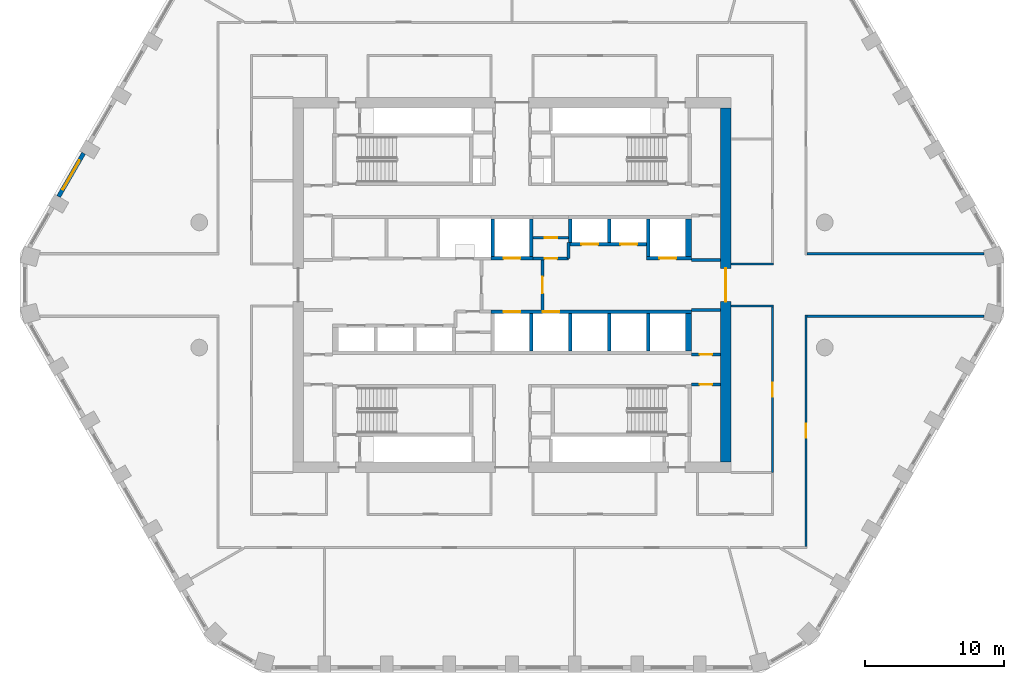
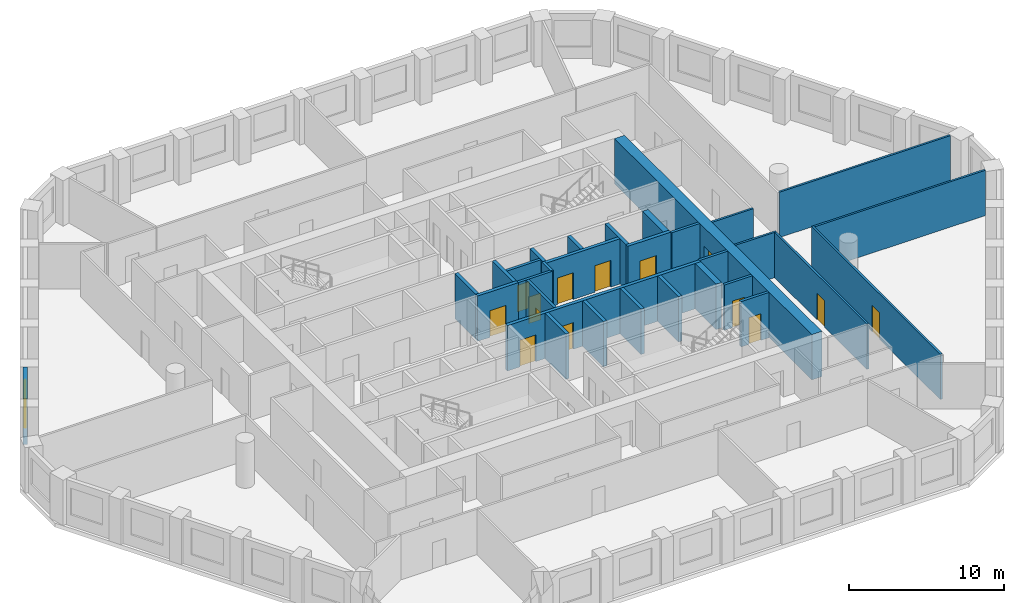
# One storey, part 5 of 10: 31 walls, 14 doors, 1 window, 15 openings.
"""IFC4 building model written with IfcOpenShell, lengths in metres."""

from ifc_helpers import new_model, si_unit, direction, frame, frame_2d, origin, place, context, subcontext, project, spatial, polyline, rectangle, outline, extrude, material, layer, layer_set, type_object, element, fill, save


model = new_model("IFC4")

# Units and contexts
model_context = context("Model", 3, precision=1e-05, world=origin(), true_north=direction((0.0, 1.0)))
body_context = subcontext(model_context, "Body", "Model", "MODEL_VIEW")
ifc_project = project(units=[si_unit("LENGTHUNIT", "METRE"), si_unit("AREAUNIT", "SQUARE_METRE"), si_unit("VOLUMEUNIT", "CUBIC_METRE"), si_unit("PLANEANGLEUNIT", "RADIAN"), si_unit("MASSUNIT", "GRAM", prefix="KILO")], contexts=[model_context])

# Site, building, storey
site_placement = place(None, origin())
site = spatial("IfcSite", under=ifc_project, at=site_placement, CompositionType="ELEMENT")
building_placement = place(site_placement, origin())
building = spatial("IfcBuilding", under=site, at=building_placement, Name="Dhurran Vertical Campus", CompositionType="ELEMENT")
storey_placement = place(building_placement, frame((0.0, 0.0, 152.10009765625)))
storey = spatial("IfcBuildingStorey", under=building, at=storey_placement, Name="L37", CompositionType="ELEMENT", Elevation=152.10009765625)

# Wall, opening, window
ifc_material_1 = material(Name="Precast concrete C50/60", Category="concrete")
ifc_layer_1 = layer(ifc_material_1, 0.300048828125)
ifc_layer_set_1 = layer_set([ifc_layer_1], Name="Precast concrete C50/60")
wall_type_1 = type_object("IfcWallType", Name="Precast spandrel wall 300", PredefinedType="SOLIDWALL", material=ifc_layer_set_1)
wall_1_placement = place(storey_placement, frame((-30.8193359375, 9.47900390625, 0.0), z_axis=(0.0, 0.0, 1.0), x_axis=(-0.500027802648, -0.866009351323, 0.0)))
wall_1 = element("IfcWall", 1, at=wall_1_placement, inside=storey, type_object=wall_type_1, Name="EW1 L37.36", PredefinedType="SOLIDWALL", context=body_context, shape_type="SweptSolid", body=[
    extrude(rectangle(XDim=3.598876953125, YDim=0.300048828125, at=frame_2d((1.79931640625, 0.0))), origin(), (0.0, 0.0, 1.0), 3.574951171875),
])
opening_1_placement = place(wall_1_placement, frame((0.599609375, 0.0, 0.89990234375)))
opening_1 = element("IfcOpeningElement", 2, at=opening_1_placement, cuts=wall_1, Name="Opening WT1", PredefinedType="OPENING", context=body_context, shape_type="SweptSolid", body=[
    extrude(rectangle(XDim=2.39990234375, YDim=2.10009765625, at=frame_2d((1.199951171875, 1.050048828125))), frame((0.0, 0.159912109375, 0.0), z_axis=(0.0, -1.0, 0.0), x_axis=(1.0, 0.0, 0.0)), (0.0, 0.0, 1.0), 0.320068359375),
])
ifc_material_2 = material(Name="Aluminium frame with solar-control glass", Category="aluminium")
window_type = type_object("IfcWindowType", Name="Punched window 2400 x 2100", PartitioningType="SINGLE_PANEL", PredefinedType="WINDOW", material=ifc_material_2)
window_placement = place(opening_1_placement, origin())
window = element("IfcWindow", 3, at=window_placement, inside=storey, type_object=window_type, Name="WT1 L37.36", OverallHeight=2.10009765625, OverallWidth=2.39990234375, PartitioningType="SINGLE_PANEL", PredefinedType="WINDOW", context=body_context, shape_type="SweptSolid", body=[
    extrude(rectangle(XDim=2.39990234375, YDim=2.10009765625, at=frame_2d((1.199951171875, 1.050048828125))), frame((0.0, 0.030029296875, 0.0), z_axis=(0.0, -1.0, 0.0), x_axis=(1.0, 0.0, 0.0)), (0.0, 0.0, 1.0), 0.06005859375),
])
fill(opening_1, window)

# Wall, opening, door
ifc_material_3 = material(Name="Concrete C60/75", Category="concrete")
ifc_layer_2 = layer(ifc_material_3, 0.75)
ifc_layer_set_2 = layer_set([ifc_layer_2], Name="Concrete C60/75")
wall_type_2 = type_object("IfcWallType", Name="co-CORE-WALL-C1-750", PredefinedType="SHEAR", material=ifc_layer_set_2)
wall_2_placement = place(storey_placement, frame((15.375, -12.75, 0.0), z_axis=(0.0, 0.0, 1.0), x_axis=(0.0, 1.0, 0.0)))
wall_2 = element("IfcWall", 4, at=wall_2_placement, inside=storey, type_object=wall_type_2, Name="Core wall E L37", PredefinedType="SHEAR", context=body_context, shape_type="SweptSolid", body=[
    extrude(rectangle(XDim=25.5, YDim=0.75, at=frame_2d((12.75, 0.0))), origin(), (0.0, 0.0, 1.0), 3.574951171875),
])
opening_2_placement = place(wall_2_placement, frame((11.550048828125, 0.0, 0.0)))
opening_2 = element("IfcOpeningElement", 5, at=opening_2_placement, cuts=wall_2, Name="Opening CL2", PredefinedType="OPENING", context=body_context, shape_type="SweptSolid", body=[
    extrude(rectangle(XDim=2.39990234375, YDim=2.10009765625, at=frame_2d((1.199951171875, 1.050048828125))), frame((0.0, 0.385009765625, 0.0), z_axis=(0.0, -1.0, 0.0), x_axis=(1.0, 0.0, 0.0)), (0.0, 0.0, 1.0), 0.77001953125),
])
ifc_material_4 = material(Name="Fire-rated glazed door set")
door_type_1 = type_object("IfcDoorType", Name="co-D-LOBBY 2400x2100", OperationType="DOUBLE_DOOR_DOUBLE_SWING", PredefinedType="DOOR", material=ifc_material_4)
door_1_placement = place(opening_2_placement, origin())
door_1 = element("IfcDoor", 6, at=door_1_placement, inside=storey, type_object=door_type_1, Name="Lift lobby door E L37", OperationType="DOUBLE_DOOR_DOUBLE_SWING", OverallHeight=2.10009765625, OverallWidth=2.39990234375, PredefinedType="DOOR", context=body_context, shape_type="SweptSolid", body=[
    extrude(rectangle(XDim=2.39990234375, YDim=2.10009765625, at=frame_2d((1.199951171875, 1.050048828125))), frame((0.0, 0.02490234375, 0.0), z_axis=(0.0, -1.0, 0.0), x_axis=(1.0, 0.0, 0.0)), (0.0, 0.0, 1.0), 0.050048828125),
])
fill(opening_2, door_1)

ifc_material_5 = material(Name="Fire-rated masonry blockwork", Category="masonry")
ifc_layer_3 = layer(ifc_material_5, 0.199951171875)
ifc_layer_set_3 = layer_set([ifc_layer_3], Name="Fire-rated masonry blockwork")
wall_type_3 = type_object("IfcWallType", Name="co-FIRE-PARTITION-200", PredefinedType="PARTITIONING", material=ifc_layer_set_3)
wall_3_placement = place(storey_placement, frame((2.199951171875, -1.800048828125, 0.0), z_axis=(0.0, 0.0, 1.0), x_axis=(0.0, 1.0, 0.0)))
wall_3 = element("IfcWall", 7, at=wall_3_placement, inside=storey, type_object=wall_type_3, Name="Firefighting lobby wall E L37", PredefinedType="PARTITIONING", context=body_context, shape_type="SweptSolid", body=[
    extrude(rectangle(XDim=3.60009765625, YDim=0.199951171875, at=frame_2d((1.800048828125, 0.0))), origin(), (0.0, 0.0, 1.0), 3.574951171875),
])
opening_3_placement = place(wall_3_placement, frame((1.199951171875, 0.0, 0.0)))
opening_3 = element("IfcOpeningElement", 8, at=opening_3_placement, cuts=wall_3, Name="Opening FL2", PredefinedType="OPENING", context=body_context, shape_type="SweptSolid", body=[
    extrude(rectangle(XDim=1.199951171875, YDim=2.10009765625, at=frame_2d((0.60009765625, 1.050048828125))), frame((0.0, 0.10986328125, 0.0), z_axis=(0.0, -1.0, 0.0), x_axis=(1.0, 0.0, 0.0)), (0.0, 0.0, 1.0), 0.219970703125),
])
ifc_material_6 = material(Name="Fire-rated steel door set", Category="steel")
door_type_2 = type_object("IfcDoorType", Name="co-D-FFLOBBY 1200x2100", OperationType="SINGLE_SWING_LEFT", PredefinedType="DOOR", material=ifc_material_6)
door_2_placement = place(opening_3_placement, origin())
door_2 = element("IfcDoor", 9, at=door_2_placement, inside=storey, type_object=door_type_2, Name="Firefighting lobby door E L37", OperationType="SINGLE_SWING_LEFT", OverallHeight=2.10009765625, OverallWidth=1.199951171875, PredefinedType="DOOR", context=body_context, shape_type="SweptSolid", body=[
    extrude(rectangle(XDim=1.199951171875, YDim=2.10009765625, at=frame_2d((0.60009765625, 1.050048828125))), frame((0.0, 0.02490234375, 0.0), z_axis=(0.0, -1.0, 0.0), x_axis=(1.0, 0.0, 0.0)), (0.0, 0.0, 1.0), 0.050048828125),
])
fill(opening_3, door_2)

# Wall
wall_4_placement = place(storey_placement, frame((12.89990234375, 1.800048828125, 0.0), z_axis=(0.0, 0.0, 1.0), x_axis=(1.0, 0.0, 0.0)))
element("IfcWall", 10, at=wall_4_placement, inside=storey, type_object=wall_type_3, Name="Core partition es-NE-l L37", PredefinedType="PARTITIONING", context=body_context, shape_type="SweptSolid", body=[
    extrude(rectangle(XDim=2.10009765625, YDim=0.199951171875, at=frame_2d((1.050048828125, 0.0))), origin(), (0.0, 0.0, 1.0), 3.574951171875),
])

# Wall, opening, door
wall_5_placement = place(storey_placement, frame((12.89990234375, -7.14990234375, 0.0), z_axis=(0.0, 0.0, 1.0), x_axis=(1.0, 0.0, 0.0)))
wall_5 = element("IfcWall", 11, at=wall_5_placement, inside=storey, type_object=wall_type_3, Name="Core partition en-SE-w L37", PredefinedType="PARTITIONING", context=body_context, shape_type="SweptSolid", body=[
    extrude(rectangle(XDim=2.10009765625, YDim=0.199951171875, at=frame_2d((1.050048828125, 0.0))), origin(), (0.0, 0.0, 1.0), 3.574951171875),
])
opening_4_placement = place(wall_5_placement, frame((0.60009765625, 0.0, 0.0)))
opening_4 = element("IfcOpeningElement", 12, at=opening_4_placement, cuts=wall_5, Name="Opening T10-C21", PredefinedType="OPENING", context=body_context, shape_type="SweptSolid", body=[
    extrude(rectangle(XDim=0.89990234375, YDim=2.10009765625, at=frame_2d((0.449951171875, 1.050048828125))), frame((0.0, 0.10986328125, 0.0), z_axis=(0.0, -1.0, 0.0), x_axis=(1.0, 0.0, 0.0)), (0.0, 0.0, 1.0), 0.219970703125),
])
ifc_material_7 = material(Name="Fire-rated timber door set", Category="wood")
door_type_3 = type_object("IfcDoorType", Name="co-D-ROOM 900x2100", OperationType="SINGLE_SWING_LEFT", PredefinedType="DOOR", material=ifc_material_7)
door_3_placement = place(opening_4_placement, origin())
door_3 = element("IfcDoor", 13, at=door_3_placement, inside=storey, type_object=door_type_3, Name="Plant room door L37", OperationType="SINGLE_SWING_LEFT", OverallHeight=2.10009765625, OverallWidth=0.89990234375, PredefinedType="DOOR", context=body_context, shape_type="SweptSolid", body=[
    extrude(rectangle(XDim=0.89990234375, YDim=2.10009765625, at=frame_2d((0.449951171875, 1.050048828125))), frame((0.0, 0.02490234375, 0.0), z_axis=(0.0, -1.0, 0.0), x_axis=(1.0, 0.0, 0.0)), (0.0, 0.0, 1.0), 0.050048828125),
])
fill(opening_4, door_3)

wall_6_placement = place(storey_placement, frame((12.89990234375, -5.0, 0.0), z_axis=(0.0, 0.0, 1.0), x_axis=(1.0, 0.0, 0.0)))
wall_6 = element("IfcWall", 14, at=wall_6_placement, inside=storey, type_object=wall_type_3, Name="Core partition es-SE-w L37", PredefinedType="PARTITIONING", context=body_context, shape_type="SweptSolid", body=[
    extrude(rectangle(XDim=2.10009765625, YDim=0.199951171875, at=frame_2d((1.050048828125, 0.0))), origin(), (0.0, 0.0, 1.0), 3.574951171875),
])
opening_5_placement = place(wall_6_placement, frame((0.60009765625, 0.0, 0.0)))
opening_5 = element("IfcOpeningElement", 15, at=opening_5_placement, cuts=wall_6, Name="Opening T10-C22", PredefinedType="OPENING", context=body_context, shape_type="SweptSolid", body=[
    extrude(rectangle(XDim=0.89990234375, YDim=2.10009765625, at=frame_2d((0.449951171875, 1.050048828125))), frame((0.0, 0.10986328125, 0.0), z_axis=(0.0, -1.0, 0.0), x_axis=(1.0, 0.0, 0.0)), (0.0, 0.0, 1.0), 0.219970703125),
])
door_4_placement = place(opening_5_placement, origin())
door_4 = element("IfcDoor", 16, at=door_4_placement, inside=storey, type_object=door_type_3, Name="Print room door L37", OperationType="SINGLE_SWING_LEFT", OverallHeight=2.10009765625, OverallWidth=0.89990234375, PredefinedType="DOOR", context=body_context, shape_type="SweptSolid", body=[
    extrude(rectangle(XDim=0.89990234375, YDim=2.10009765625, at=frame_2d((0.449951171875, 1.050048828125))), frame((0.0, 0.02490234375, 0.0), z_axis=(0.0, -1.0, 0.0), x_axis=(1.0, 0.0, 0.0)), (0.0, 0.0, 1.0), 0.050048828125),
])
fill(opening_5, door_4)

# Wall
wall_7_placement = place(storey_placement, frame((12.89990234375, -1.800048828125, 0.0), z_axis=(0.0, 0.0, 1.0), x_axis=(1.0, 0.0, 0.0)))
element("IfcWall", 17, at=wall_7_placement, inside=storey, type_object=wall_type_3, Name="Core partition es-SE-l L37", PredefinedType="PARTITIONING", context=body_context, shape_type="SweptSolid", body=[
    extrude(rectangle(XDim=2.10009765625, YDim=0.199951171875, at=frame_2d((1.050048828125, 0.0))), origin(), (0.0, 0.0, 1.0), 3.574951171875),
])

# Wall, opening, door
wall_8_placement = place(storey_placement, frame((1.52490234375, 3.39990234375, 0.0), z_axis=(0.0, 0.0, 1.0), x_axis=(1.0, 0.0, 0.0)))
wall_8 = element("IfcWall", 18, at=wall_8_placement, inside=storey, type_object=wall_type_3, Name="Core partition fr-N1-c L37", PredefinedType="PARTITIONING", context=body_context, shape_type="SweptSolid", body=[
    extrude(rectangle(XDim=2.550048828125, YDim=0.199951171875, at=frame_2d((1.27490234375, 0.0))), origin(), (0.0, 0.0, 1.0), 3.574951171875),
])
opening_6_placement = place(wall_8_placement, frame((0.824951171875, 0.0, 0.0)))
opening_6 = element("IfcOpeningElement", 19, at=opening_6_placement, cuts=wall_8, Name="Opening T10-C26", PredefinedType="OPENING", context=body_context, shape_type="SweptSolid", body=[
    extrude(rectangle(XDim=0.89990234375, YDim=2.10009765625, at=frame_2d((0.449951171875, 1.050048828125))), frame((0.0, 0.10986328125, 0.0), z_axis=(0.0, -1.0, 0.0), x_axis=(1.0, 0.0, 0.0)), (0.0, 0.0, 1.0), 0.219970703125),
])
door_5_placement = place(opening_6_placement, origin())
door_5 = element("IfcDoor", 20, at=door_5_placement, inside=storey, type_object=door_type_3, Name="Housekeeping store door L37", OperationType="SINGLE_SWING_LEFT", OverallHeight=2.10009765625, OverallWidth=0.89990234375, PredefinedType="DOOR", context=body_context, shape_type="SweptSolid", body=[
    extrude(rectangle(XDim=0.89990234375, YDim=2.10009765625, at=frame_2d((0.449951171875, 1.050048828125))), frame((0.0, 0.02490234375, 0.0), z_axis=(0.0, -1.0, 0.0), x_axis=(1.0, 0.0, 0.0)), (0.0, 0.0, 1.0), 0.050048828125),
])
fill(opening_6, door_5)

wall_9_placement = place(storey_placement, frame((1.52490234375, 1.89990234375, 0.0), z_axis=(0.0, 0.0, 1.0), x_axis=(1.0, 0.0, 0.0)))
wall_9 = element("IfcWall", 21, at=wall_9_placement, inside=storey, type_object=wall_type_3, Name="Core partition fr-N1-f L37", PredefinedType="PARTITIONING", context=body_context, shape_type="SweptSolid", body=[
    extrude(rectangle(XDim=2.550048828125, YDim=0.199951171875, at=frame_2d((1.27490234375, 0.0))), origin(), (0.0, 0.0, 1.0), 3.574951171875),
])
opening_7_placement = place(wall_9_placement, frame((0.824951171875, 0.0, 0.0)))
opening_7 = element("IfcOpeningElement", 22, at=opening_7_placement, cuts=wall_9, Name="Opening T10-C27", PredefinedType="OPENING", context=body_context, shape_type="SweptSolid", body=[
    extrude(rectangle(XDim=0.89990234375, YDim=2.10009765625, at=frame_2d((0.449951171875, 1.050048828125))), frame((0.0, 0.10986328125, 0.0), z_axis=(0.0, -1.0, 0.0), x_axis=(1.0, 0.0, 0.0)), (0.0, 0.0, 1.0), 0.219970703125),
])
door_6_placement = place(opening_7_placement, origin())
door_6 = element("IfcDoor", 23, at=door_6_placement, inside=storey, type_object=door_type_3, Name="Pantry door L37", OperationType="SINGLE_SWING_LEFT", OverallHeight=2.10009765625, OverallWidth=0.89990234375, PredefinedType="DOOR", context=body_context, shape_type="SweptSolid", body=[
    extrude(rectangle(XDim=0.89990234375, YDim=2.10009765625, at=frame_2d((0.449951171875, 1.050048828125))), frame((0.0, 0.02490234375, 0.0), z_axis=(0.0, -1.0, 0.0), x_axis=(1.0, 0.0, 0.0)), (0.0, 0.0, 1.0), 0.050048828125),
])
fill(opening_7, door_6)

# Wall
wall_10_placement = place(storey_placement, frame((4.074951171875, 1.89990234375, 0.0), z_axis=(0.0, 0.0, 1.0), x_axis=(0.0, 1.0, 0.0)))
element("IfcWall", 24, at=wall_10_placement, inside=storey, type_object=wall_type_3, Name="Core partition fr-N1-n1 L37", PredefinedType="PARTITIONING", context=body_context, shape_type="SweptSolid", body=[
    extrude(rectangle(XDim=1.150146484375, YDim=0.199951171875, at=frame_2d((0.5751953125, 0.0))), origin(), (0.0, 0.0, 1.0), 3.574951171875),
])

# Wall, opening, door
ifc_material_8 = material(Name="Concrete C50/60", Category="concrete")
ifc_layer_4 = layer(ifc_material_8, 0.25)
ifc_layer_set_4 = layer_set([ifc_layer_4], Name="Concrete C50/60")
wall_type_4 = type_object("IfcWallType", Name="co-SHAFT-FRONT-250", PredefinedType="SHEAR", material=ifc_layer_set_4)
wall_11_placement = place(storey_placement, frame((-1.52490234375, 1.925048828125, 0.0), z_axis=(0.0, 0.0, 1.0), x_axis=(1.0, 0.0, 0.0)))
wall_11 = element("IfcWall", 25, at=wall_11_placement, inside=storey, type_object=wall_type_4, Name="Lift landing wall N L37", PredefinedType="SHEAR", context=body_context, shape_type="SweptSolid", body=[
    extrude(rectangle(XDim=3.0498046875, YDim=0.25, at=frame_2d((1.52490234375, 0.0))), origin(), (0.0, 0.0, 1.0), 3.574951171875),
])
opening_8_placement = place(wall_11_placement, frame((0.925048828125, 0.0, 0.0)))
opening_8 = element("IfcOpeningElement", 26, at=opening_8_placement, cuts=wall_11, Name="Opening LD", PredefinedType="OPENING", context=body_context, shape_type="SweptSolid", body=[
    extrude(rectangle(XDim=1.199951171875, YDim=2.10009765625, at=frame_2d((0.60009765625, 1.050048828125))), frame((0.0, 0.135009765625, 0.0), z_axis=(0.0, -1.0, 0.0), x_axis=(1.0, 0.0, 0.0)), (0.0, 0.0, 1.0), 0.27001953125),
])
ifc_material_9 = material(Name="Stainless steel landing door", Category="steel")
door_type_4 = type_object("IfcDoorType", Name="co-D-LANDING 1200x2100", OperationType="DOUBLE_DOOR_SLIDING", PredefinedType="DOOR", material=ifc_material_9)
door_7_placement = place(opening_8_placement, origin())
door_7 = element("IfcDoor", 27, at=door_7_placement, inside=storey, type_object=door_type_4, Name="Landing door FF1 L37", OperationType="DOUBLE_DOOR_SLIDING", OverallHeight=2.10009765625, OverallWidth=1.199951171875, PredefinedType="DOOR", context=body_context, shape_type="SweptSolid", body=[
    extrude(rectangle(XDim=1.199951171875, YDim=2.10009765625, at=frame_2d((0.60009765625, 1.050048828125))), frame((0.0, 0.02490234375, 0.0), z_axis=(0.0, -1.0, 0.0), x_axis=(1.0, 0.0, 0.0)), (0.0, 0.0, 1.0), 0.050048828125),
])
fill(opening_8, door_7)

# Wall, openings, doors
wall_12_placement = place(storey_placement, frame((4.074951171875, 2.925048828125, 0.0), z_axis=(0.0, 0.0, 1.0), x_axis=(1.0, 0.0, 0.0)))
wall_12 = element("IfcWall", 28, at=wall_12_placement, inside=storey, type_object=wall_type_4, Name="Lift landing wall N L37", PredefinedType="SHEAR", context=body_context, shape_type="SweptSolid", body=[
    extrude(rectangle(XDim=5.85009765625, YDim=0.25, at=frame_2d((2.925048828125, 0.0))), origin(), (0.0, 0.0, 1.0), 3.574951171875),
])
opening_9_placement = place(wall_12_placement, frame((0.925048828125, 0.0, 0.0)))
opening_9 = element("IfcOpeningElement", 29, at=opening_9_placement, cuts=wall_12, Name="Opening LD", PredefinedType="OPENING", context=body_context, shape_type="SweptSolid", body=[
    extrude(rectangle(XDim=1.199951171875, YDim=2.10009765625, at=frame_2d((0.60009765625, 1.050048828125))), frame((0.0, 0.135009765625, 0.0), z_axis=(0.0, -1.0, 0.0), x_axis=(1.0, 0.0, 0.0)), (0.0, 0.0, 1.0), 0.27001953125),
])
opening_10_placement = place(wall_12_placement, frame((3.72509765625, 0.0, 0.0)))
opening_10 = element("IfcOpeningElement", 30, at=opening_10_placement, cuts=wall_12, Name="Opening LD", PredefinedType="OPENING", context=body_context, shape_type="SweptSolid", body=[
    extrude(rectangle(XDim=1.199951171875, YDim=2.10009765625, at=frame_2d((0.60009765625, 1.050048828125))), frame((0.0, 0.135009765625, 0.0), z_axis=(0.0, -1.0, 0.0), x_axis=(1.0, 0.0, 0.0)), (0.0, 0.0, 1.0), 0.27001953125),
])
door_8_placement = place(opening_9_placement, origin())
door_8 = element("IfcDoor", 31, at=door_8_placement, inside=storey, type_object=door_type_4, Name="Landing door MR1 L37", OperationType="DOUBLE_DOOR_SLIDING", OverallHeight=2.10009765625, OverallWidth=1.199951171875, PredefinedType="DOOR", context=body_context, shape_type="SweptSolid", body=[
    extrude(rectangle(XDim=1.199951171875, YDim=2.10009765625, at=frame_2d((0.60009765625, 1.050048828125))), frame((0.0, 0.02490234375, 0.0), z_axis=(0.0, -1.0, 0.0), x_axis=(1.0, 0.0, 0.0)), (0.0, 0.0, 1.0), 0.050048828125),
])
fill(opening_9, door_8)
door_9_placement = place(opening_10_placement, origin())
door_9 = element("IfcDoor", 32, at=door_9_placement, inside=storey, type_object=door_type_4, Name="Landing door MR2 L37", OperationType="DOUBLE_DOOR_SLIDING", OverallHeight=2.10009765625, OverallWidth=1.199951171875, PredefinedType="DOOR", context=body_context, shape_type="SweptSolid", body=[
    extrude(rectangle(XDim=1.199951171875, YDim=2.10009765625, at=frame_2d((0.60009765625, 1.050048828125))), frame((0.0, 0.02490234375, 0.0), z_axis=(0.0, -1.0, 0.0), x_axis=(1.0, 0.0, 0.0)), (0.0, 0.0, 1.0), 0.050048828125),
])
fill(opening_10, door_9)

# Wall, opening, door
wall_13_placement = place(storey_placement, frame((9.675048828125, 1.925048828125, 0.0), z_axis=(0.0, 0.0, 1.0), x_axis=(1.0, 0.0, 0.0)))
wall_13 = element("IfcWall", 33, at=wall_13_placement, inside=storey, type_object=wall_type_4, Name="Lift landing wall N L37", PredefinedType="SHEAR", context=body_context, shape_type="SweptSolid", body=[
    extrude(rectangle(XDim=3.224853515625, YDim=0.25, at=frame_2d((1.6123046875, 0.0))), origin(), (0.0, 0.0, 1.0), 3.574951171875),
])
opening_11_placement = place(wall_13_placement, frame((0.925048828125, 0.0, 0.0)))
opening_11 = element("IfcOpeningElement", 34, at=opening_11_placement, cuts=wall_13, Name="Opening LD", PredefinedType="OPENING", context=body_context, shape_type="SweptSolid", body=[
    extrude(rectangle(XDim=1.199951171875, YDim=2.10009765625, at=frame_2d((0.60009765625, 1.050048828125))), frame((0.0, 0.135009765625, 0.0), z_axis=(0.0, -1.0, 0.0), x_axis=(1.0, 0.0, 0.0)), (0.0, 0.0, 1.0), 0.27001953125),
])
door_10_placement = place(opening_11_placement, origin())
door_10 = element("IfcDoor", 35, at=door_10_placement, inside=storey, type_object=door_type_4, Name="Landing door SV2 L37", OperationType="DOUBLE_DOOR_SLIDING", OverallHeight=2.10009765625, OverallWidth=1.199951171875, PredefinedType="DOOR", context=body_context, shape_type="SweptSolid", body=[
    extrude(rectangle(XDim=1.199951171875, YDim=2.10009765625, at=frame_2d((0.60009765625, 1.050048828125))), frame((0.0, 0.02490234375, 0.0), z_axis=(0.0, -1.0, 0.0), x_axis=(1.0, 0.0, 0.0)), (0.0, 0.0, 1.0), 0.050048828125),
])
fill(opening_11, door_10)

# Wall, openings, doors
wall_14_placement = place(storey_placement, frame((-1.52490234375, -1.925048828125, 0.0), z_axis=(0.0, 0.0, 1.0), x_axis=(1.0, 0.0, 0.0)))
wall_14 = element("IfcWall", 36, at=wall_14_placement, inside=storey, type_object=wall_type_4, Name="Lift landing wall S L37", PredefinedType="SHEAR", context=body_context, shape_type="SweptSolid", body=[
    extrude(rectangle(XDim=14.4248046875, YDim=0.25, at=frame_2d((7.21240234375, 0.0))), origin(), (0.0, 0.0, 1.0), 3.574951171875),
])
opening_12_placement = place(wall_14_placement, frame((0.925048828125, 0.0, 0.0)))
opening_12 = element("IfcOpeningElement", 37, at=opening_12_placement, cuts=wall_14, Name="Opening LD", PredefinedType="OPENING", context=body_context, shape_type="SweptSolid", body=[
    extrude(rectangle(XDim=1.199951171875, YDim=2.10009765625, at=frame_2d((0.60009765625, 1.050048828125))), frame((0.0, 0.135009765625, 0.0), z_axis=(0.0, -1.0, 0.0), x_axis=(1.0, 0.0, 0.0)), (0.0, 0.0, 1.0), 0.27001953125),
])
opening_13_placement = place(wall_14_placement, frame((3.72509765625, 0.0, 0.0)))
opening_13 = element("IfcOpeningElement", 38, at=opening_13_placement, cuts=wall_14, Name="Opening LD", PredefinedType="OPENING", context=body_context, shape_type="SweptSolid", body=[
    extrude(rectangle(XDim=1.199951171875, YDim=2.10009765625, at=frame_2d((0.60009765625, 1.050048828125))), frame((0.0, 0.135009765625, 0.0), z_axis=(0.0, -1.0, 0.0), x_axis=(1.0, 0.0, 0.0)), (0.0, 0.0, 1.0), 0.27001953125),
])
door_11_placement = place(opening_12_placement, origin())
door_11 = element("IfcDoor", 39, at=door_11_placement, inside=storey, type_object=door_type_4, Name="Landing door FF2 L37", OperationType="DOUBLE_DOOR_SLIDING", OverallHeight=2.10009765625, OverallWidth=1.199951171875, PredefinedType="DOOR", context=body_context, shape_type="SweptSolid", body=[
    extrude(rectangle(XDim=1.199951171875, YDim=2.10009765625, at=frame_2d((0.60009765625, 1.050048828125))), frame((0.0, 0.02490234375, 0.0), z_axis=(0.0, -1.0, 0.0), x_axis=(1.0, 0.0, 0.0)), (0.0, 0.0, 1.0), 0.050048828125),
])
fill(opening_12, door_11)
door_12_placement = place(opening_13_placement, origin())
door_12 = element("IfcDoor", 40, at=door_12_placement, inside=storey, type_object=door_type_4, Name="Landing door SV1 L37", OperationType="DOUBLE_DOOR_SLIDING", OverallHeight=2.10009765625, OverallWidth=1.199951171875, PredefinedType="DOOR", context=body_context, shape_type="SweptSolid", body=[
    extrude(rectangle(XDim=1.199951171875, YDim=2.10009765625, at=frame_2d((0.60009765625, 1.050048828125))), frame((0.0, 0.02490234375, 0.0), z_axis=(0.0, -1.0, 0.0), x_axis=(1.0, 0.0, 0.0)), (0.0, 0.0, 1.0), 0.050048828125),
])
fill(opening_13, door_12)

# Walls
ifc_material_10 = material(Name="Concrete C50/60", Category="concrete")
ifc_layer_5 = layer(ifc_material_10, 0.25)
ifc_layer_set_5 = layer_set([ifc_layer_5], Name="Concrete C50/60")
wall_type_5 = type_object("IfcWallType", Name="co-SHAFT-MASS-250", PredefinedType="SHEAR", material=ifc_layer_set_5)
wall_15_placement = place(storey_placement, origin())
element("IfcWall", 41, at=wall_15_placement, inside=storey, type_object=wall_type_5, Name="Lift shaft wall N L37 3", PredefinedType="SHEAR", context=body_context, shape_type="SweptSolid", body=[
    extrude(outline(polyline([(-1.52490234375, 2.050048828125), (-1.27490234375, 2.050048828125), (-1.27490234375, 4.75), (-1.52490234375, 4.75), (-1.52490234375, 2.050048828125)])), origin(), (0.0, 0.0, 1.0), 3.574951171875),
])
wall_16_placement = place(storey_placement, origin())
element("IfcWall", 42, at=wall_16_placement, inside=storey, type_object=wall_type_5, Name="Lift shaft wall N L37 4", PredefinedType="SHEAR", context=body_context, shape_type="SweptSolid", body=[
    extrude(outline(polyline([(1.27490234375, 2.050048828125), (1.52490234375, 2.050048828125), (1.52490234375, 4.75), (1.27490234375, 4.75), (1.27490234375, 2.050048828125)])), origin(), (0.0, 0.0, 1.0), 3.574951171875),
])
wall_17_placement = place(storey_placement, origin())
element("IfcWall", 43, at=wall_17_placement, inside=storey, type_object=wall_type_5, Name="Lift shaft wall N L37 5", PredefinedType="SHEAR", context=body_context, shape_type="SweptSolid", body=[
    extrude(outline(polyline([(9.675048828125, 2.050048828125), (9.925048828125, 2.050048828125), (9.925048828125, 4.75), (9.675048828125, 4.75), (9.675048828125, 2.050048828125)])), origin(), (0.0, 0.0, 1.0), 3.574951171875),
])
wall_18_placement = place(storey_placement, origin())
element("IfcWall", 44, at=wall_18_placement, inside=storey, type_object=wall_type_5, Name="Lift shaft wall N L37 6", PredefinedType="SHEAR", context=body_context, shape_type="SweptSolid", body=[
    extrude(outline(polyline([(12.47509765625, 2.050048828125), (12.89990234375, 2.050048828125), (12.89990234375, 4.75), (12.47509765625, 4.75), (12.47509765625, 2.050048828125)])), origin(), (0.0, 0.0, 1.0), 3.574951171875),
])
wall_19_placement = place(storey_placement, origin())
element("IfcWall", 45, at=wall_19_placement, inside=storey, type_object=wall_type_5, Name="Lift shaft wall N L37 7", PredefinedType="SHEAR", context=body_context, shape_type="SweptSolid", body=[
    extrude(outline(polyline([(4.074951171875, 3.050048828125), (4.324951171875, 3.050048828125), (4.324951171875, 4.75), (4.074951171875, 4.75), (4.074951171875, 3.050048828125)])), origin(), (0.0, 0.0, 1.0), 3.574951171875),
])
wall_20_placement = place(storey_placement, origin())
element("IfcWall", 46, at=wall_20_placement, inside=storey, type_object=wall_type_5, Name="Lift shaft wall N L37 8", PredefinedType="SHEAR", context=body_context, shape_type="SweptSolid", body=[
    extrude(outline(polyline([(6.875, 3.050048828125), (7.125, 3.050048828125), (7.125, 4.75), (6.875, 4.75), (6.875, 3.050048828125)])), origin(), (0.0, 0.0, 1.0), 3.574951171875),
])
wall_21_placement = place(storey_placement, origin())
element("IfcWall", 47, at=wall_21_placement, inside=storey, type_object=wall_type_5, Name="Lift shaft wall S L37 8", PredefinedType="SHEAR", context=body_context, shape_type="SweptSolid", body=[
    extrude(outline(polyline([(1.27490234375, -4.75), (1.52490234375, -4.75), (1.52490234375, -2.050048828125), (1.27490234375, -2.050048828125), (1.27490234375, -4.75)])), origin(), (0.0, 0.0, 1.0), 3.574951171875),
])
wall_22_placement = place(storey_placement, origin())
element("IfcWall", 48, at=wall_22_placement, inside=storey, type_object=wall_type_5, Name="Lift shaft wall S L37 9", PredefinedType="SHEAR", context=body_context, shape_type="SweptSolid", body=[
    extrude(outline(polyline([(4.074951171875, -4.75), (4.324951171875, -4.75), (4.324951171875, -2.050048828125), (4.074951171875, -2.050048828125), (4.074951171875, -4.75)])), origin(), (0.0, 0.0, 1.0), 3.574951171875),
])
wall_23_placement = place(storey_placement, origin())
element("IfcWall", 49, at=wall_23_placement, inside=storey, type_object=wall_type_5, Name="Lift shaft wall S L37 10", PredefinedType="SHEAR", context=body_context, shape_type="SweptSolid", body=[
    extrude(outline(polyline([(6.875, -4.75), (7.125, -4.75), (7.125, -2.050048828125), (6.875, -2.050048828125), (6.875, -4.75)])), origin(), (0.0, 0.0, 1.0), 3.574951171875),
])
wall_24_placement = place(storey_placement, origin())
element("IfcWall", 50, at=wall_24_placement, inside=storey, type_object=wall_type_5, Name="Lift shaft wall S L37 11", PredefinedType="SHEAR", context=body_context, shape_type="SweptSolid", body=[
    extrude(outline(polyline([(9.675048828125, -4.75), (9.925048828125, -4.75), (9.925048828125, -2.050048828125), (9.675048828125, -2.050048828125), (9.675048828125, -4.75)])), origin(), (0.0, 0.0, 1.0), 3.574951171875),
])
wall_25_placement = place(storey_placement, origin())
element("IfcWall", 51, at=wall_25_placement, inside=storey, type_object=wall_type_5, Name="Lift shaft wall S L37 12", PredefinedType="SHEAR", context=body_context, shape_type="SweptSolid", body=[
    extrude(outline(polyline([(12.47509765625, -4.75), (12.89990234375, -4.75), (12.89990234375, -2.050048828125), (12.47509765625, -2.050048828125), (12.47509765625, -4.75)])), origin(), (0.0, 0.0, 1.0), 3.574951171875),
])
ifc_material_11 = material(Name="Gypsum board corridor wall on steel studs", Category="steel")
ifc_layer_6 = layer(ifc_material_11, 0.14990234375)
ifc_layer_set_6 = layer_set([ifc_layer_6], Name="Gypsum board corridor wall on steel studs")
wall_type_6 = type_object("IfcWallType", Name="fl-CW-150 corridor wall", PredefinedType="PARTITIONING", material=ifc_layer_set_6)
for number, where, z_axis, x_axis, name in (
    (52, (15.75, -1.5, 0.0), (0.0, 0.0, 1.0), (1.0, 0.0, 0.0), "Partition 37-54"),
    (53, (18.824951171875, 1.5, 0.0), (0.0, 0.0, 1.0), (-1.0, 0.0, 0.0), "Partition 37-55"),
):
    element("IfcWall", number, at=place(storey_placement, frame(where, z_axis=z_axis, x_axis=x_axis)), inside=storey, type_object=wall_type_6, Name=name, PredefinedType="PARTITIONING", context=body_context, shape_type="SweptSolid", body=[
        extrude(rectangle(XDim=3.074951171875, YDim=0.14990234375, at=frame_2d((1.53759765625, 0.0))), origin(), (0.0, 0.0, 1.0), 3.574951171875),
    ])

# Wall, opening, door
wall_26_placement = place(storey_placement, frame((18.75, -1.574951171875, 0.0), z_axis=(0.0, 0.0, 1.0), x_axis=(0.0, -1.0, 0.0)))
wall_26 = element("IfcWall", 54, at=wall_26_placement, inside=storey, type_object=wall_type_6, Name="Partition 37-58", PredefinedType="PARTITIONING", context=body_context, shape_type="SweptSolid", body=[
    extrude(rectangle(XDim=11.925048828125, YDim=0.14990234375, at=frame_2d((5.96240234375, 0.0))), origin(), (0.0, 0.0, 1.0), 3.574951171875),
])
opening_14_placement = place(wall_26_placement, frame((5.46240234375, 0.0, 0.0)))
opening_14 = element("IfcOpeningElement", 55, at=opening_14_placement, cuts=wall_26, Name="Opening T10.20", PredefinedType="OPENING", context=body_context, shape_type="SweptSolid", body=[
    extrude(rectangle(XDim=1.0, YDim=2.10009765625, at=frame_2d((0.5, 1.050048828125))), frame((0.0, 0.0849609375, 0.0), z_axis=(0.0, -1.0, 0.0), x_axis=(1.0, 0.0, 0.0)), (0.0, 0.0, 1.0), 0.169921875),
])
ifc_material_12 = material(Name="Solid-core timber door set, fire-rated", Category="wood")
door_type_5 = type_object("IfcDoorType", Name="fl-D-1000x2100", OperationType="SINGLE_SWING_LEFT", PredefinedType="DOOR", material=ifc_material_12)
door_13_placement = place(opening_14_placement, origin())
door_13 = element("IfcDoor", 56, at=door_13_placement, inside=storey, type_object=door_type_5, Name="Door 37.20", OperationType="SINGLE_SWING_LEFT", OverallHeight=2.10009765625, OverallWidth=1.0, PredefinedType="DOOR", context=body_context, shape_type="SweptSolid", body=[
    extrude(rectangle(XDim=1.0, YDim=2.10009765625, at=frame_2d((0.5, 1.050048828125))), frame((0.0, 0.02490234375, 0.0), z_axis=(0.0, -1.0, 0.0), x_axis=(1.0, 0.0, 0.0)), (0.0, 0.0, 1.0), 0.050048828125),
])
fill(opening_14, door_13)

wall_27_placement = place(storey_placement, frame((21.14990234375, -18.824951171875, 0.0), z_axis=(0.0, 0.0, 1.0), x_axis=(0.0, 1.0, 0.0)))
wall_27 = element("IfcWall", 57, at=wall_27_placement, inside=storey, type_object=wall_type_6, Name="Partition 37-63", PredefinedType="PARTITIONING", context=body_context, shape_type="SweptSolid", body=[
    extrude(rectangle(XDim=16.64990234375, YDim=0.14990234375, at=frame_2d((8.324951171875, 0.0))), origin(), (0.0, 0.0, 1.0), 3.574951171875),
])
opening_15_placement = place(wall_27_placement, frame((7.824951171875, 0.0, 0.0)))
opening_15 = element("IfcOpeningElement", 58, at=opening_15_placement, cuts=wall_27, Name="Opening T10.24", PredefinedType="OPENING", context=body_context, shape_type="SweptSolid", body=[
    extrude(rectangle(XDim=1.0, YDim=2.10009765625, at=frame_2d((0.5, 1.050048828125))), frame((0.0, 0.0849609375, 0.0), z_axis=(0.0, -1.0, 0.0), x_axis=(1.0, 0.0, 0.0)), (0.0, 0.0, 1.0), 0.169921875),
])
door_14_placement = place(opening_15_placement, origin())
door_14 = element("IfcDoor", 59, at=door_14_placement, inside=storey, type_object=door_type_5, Name="Door 37.24", OperationType="SINGLE_SWING_RIGHT", OverallHeight=2.10009765625, OverallWidth=1.0, PredefinedType="DOOR", context=body_context, shape_type="SweptSolid", body=[
    extrude(rectangle(XDim=1.0, YDim=2.10009765625, at=frame_2d((0.5, 1.050048828125))), frame((0.0, 0.02490234375, 0.0), z_axis=(0.0, -1.0, 0.0), x_axis=(1.0, 0.0, 0.0)), (0.0, 0.0, 1.0), 0.050048828125),
])
fill(opening_15, door_14)

# Walls
for number, where, z_axis, x_axis, name in (
    (60, (33.9677734375, -2.25, 0.0), (0.0, 0.0, 1.0), (-1.0, 0.0, 0.0), "Partition 37-64"),
    (61, (21.22509765625, 2.25, 0.0), (0.0, 0.0, 1.0), (1.0, 0.0, 0.0), "Partition 37-66"),
):
    element("IfcWall", number, at=place(storey_placement, frame(where, z_axis=z_axis, x_axis=x_axis)), inside=storey, type_object=wall_type_6, Name=name, PredefinedType="PARTITIONING", context=body_context, shape_type="SweptSolid", body=[
        extrude(rectangle(XDim=12.74267578125, YDim=0.14990234375, at=frame_2d((6.371337890625, 0.0))), origin(), (0.0, 0.0, 1.0), 3.574951171875),
    ])

save(model, "model.ifc")
